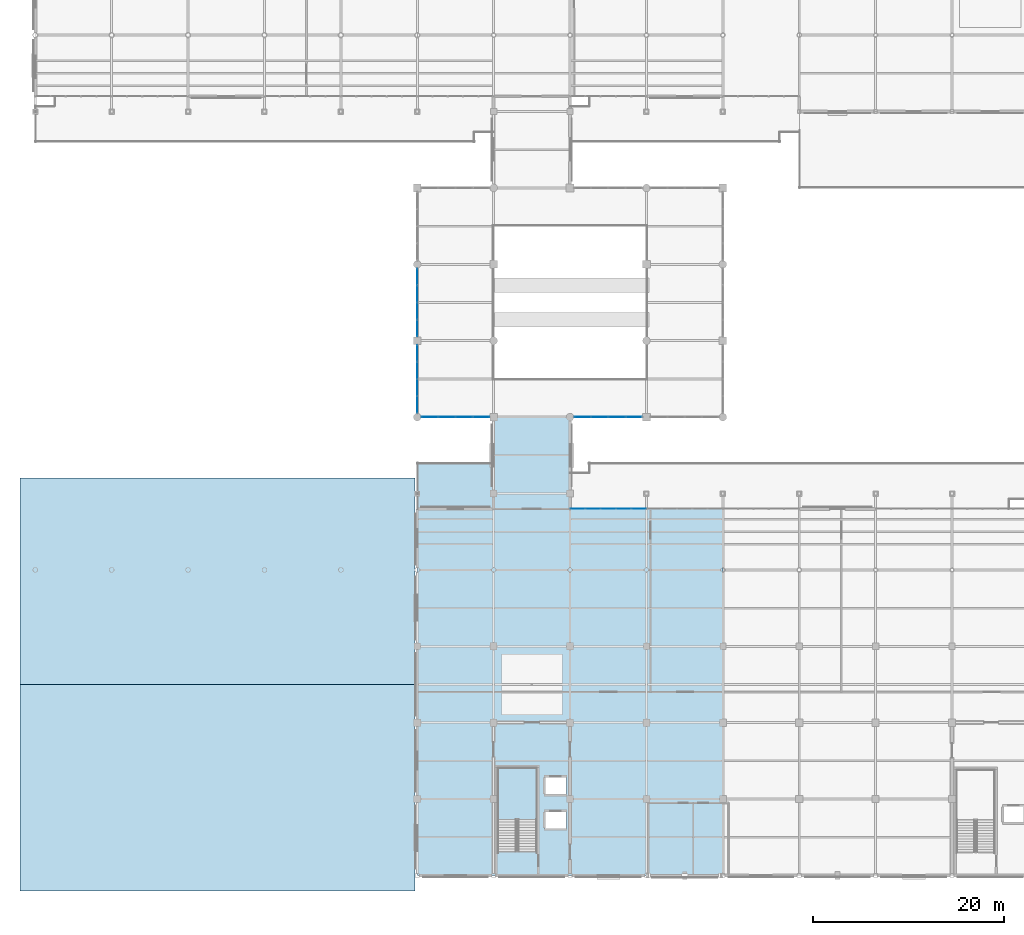
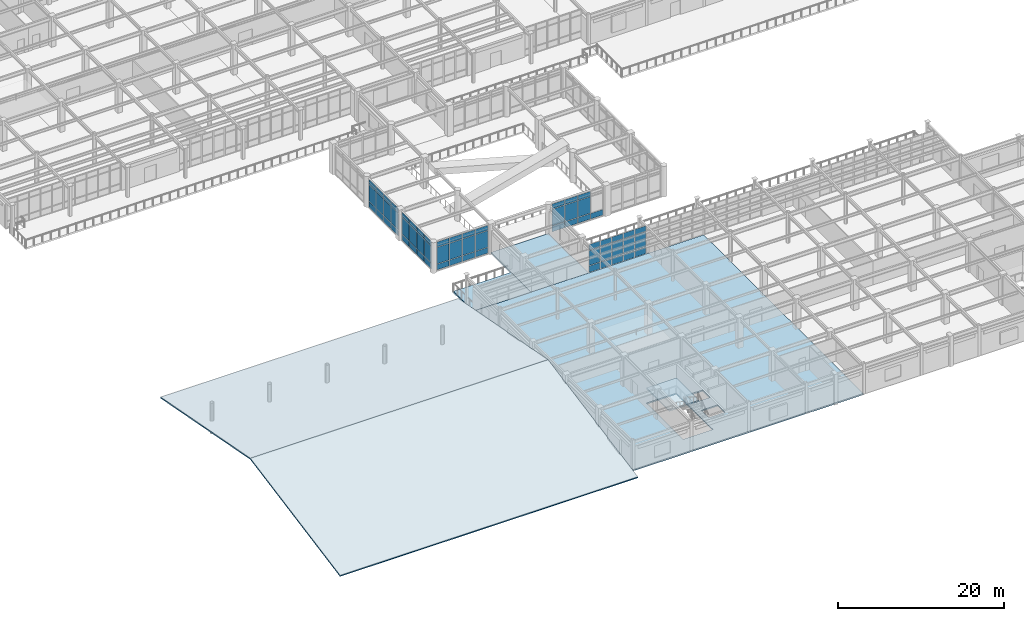
# One storey, part 74 of 111: 61 plates, 6 slabs, 6 elements without a shape of their own.
"""IFC4 building model written with IfcOpenShell, lengths in metres."""

from ifc_helpers import new_model, si_unit, direction, frame, origin, origin_2d, place, context, subcontext, project, spatial, polyline, rectangle, outline, extrude, material, layer, layer_set, type_object, element, aggregate, save


model = new_model("IFC4")

# Units and contexts
model_context = context("Model", 3, precision=1e-05, world=origin(), true_north=direction((0.0, 1.0)))
body_context = subcontext(model_context, "Body", "Model", "MODEL_VIEW")
ifc_project = project(units=[si_unit("LENGTHUNIT", "METRE"), si_unit("AREAUNIT", "SQUARE_METRE"), si_unit("VOLUMEUNIT", "CUBIC_METRE"), si_unit("PLANEANGLEUNIT", "RADIAN"), si_unit("MASSUNIT", "GRAM", prefix="KILO")], contexts=[model_context])

# Site, building, storey
site_placement = place(None, origin())
site = spatial("IfcSite", under=ifc_project, at=site_placement, CompositionType="ELEMENT")
building_placement = place(site_placement, origin())
building = spatial("IfcBuilding", under=site, at=building_placement, Name="Solmirada Galleria", CompositionType="ELEMENT")
storey_placement = place(building_placement, frame((0.0, 0.0, 10.39990234375)))
storey = spatial("IfcBuildingStorey", under=building, at=storey_placement, Name="L02", CompositionType="ELEMENT", Elevation=10.39990234375)

# Curtain wall, plates
ifc_material_1 = material(Name="Impact-resistant low-E double glazing", Category="glass")
curtain_wall_type_1 = type_object("IfcCurtainWallType", Name="CW-FZ3-L02-B4-L072", PredefinedType="NOTDEFINED", material=ifc_material_1)
curtain_wall_1_placement = place(storey_placement, origin())
curtain_wall_1 = element("IfcCurtainWall", 1, at=curtain_wall_1_placement, inside=storey, type_object=curtain_wall_type_1, Name="Terrace and arcade storefront CW-L02-083", PredefinedType="NOTDEFINED")
ifc_layer_1 = layer(ifc_material_1, 0.028076171875)
ifc_layer_set_1 = layer_set([ifc_layer_1], Name="Impact-resistant low-E double glazing")
plate_type_1 = type_object("IfcPlateType", Name="CW-PNL-CW21-T28", PredefinedType="CURTAIN_PANEL", material=ifc_layer_set_1)
plate_1_placement = place(storey_placement, frame((86.68212890625, 48.0, 0.06494140625), z_axis=(0.0, 0.0, 1.0), x_axis=(-1.0, 0.0, 0.0)))
plate_1 = element("IfcPlate", 2, at=plate_1_placement, type_object=plate_type_1, Name="CW21 panel 1.1", PredefinedType="CURTAIN_PANEL", context=body_context, shape_type="SweptSolid", body=[
    extrude(rectangle(XDim=1.701416015625, YDim=0.028076171875, at=origin_2d()), origin(), (0.0, 0.0, 1.0), 0.822509765625),
])
plate_2_placement = place(storey_placement, frame((86.68212890625, 48.0, 0.95263671875), z_axis=(0.0, 0.0, 1.0), x_axis=(-1.0, 0.0, 0.0)))
plate_2 = element("IfcPlate", 3, at=plate_2_placement, type_object=plate_type_1, Name="CW21 panel 1.2", PredefinedType="CURTAIN_PANEL", context=body_context, shape_type="SweptSolid", body=[
    extrude(rectangle(XDim=1.701416015625, YDim=0.028076171875, at=origin_2d()), origin(), (0.0, 0.0, 1.0), 2.4150390625),
])
plate_3_placement = place(storey_placement, frame((86.68212890625, 48.0, 3.4326171875), z_axis=(0.0, 0.0, 1.0), x_axis=(-1.0, 0.0, 0.0)))
plate_3 = element("IfcPlate", 4, at=plate_3_placement, type_object=plate_type_1, Name="CW21 panel 1.3", PredefinedType="CURTAIN_PANEL", context=body_context, shape_type="SweptSolid", body=[
    extrude(rectangle(XDim=1.701416015625, YDim=0.028076171875, at=origin_2d()), origin(), (0.0, 0.0, 1.0), 0.722412109375),
])
plate_4_placement = place(storey_placement, frame((84.8994140625, 48.0, 0.06494140625), z_axis=(0.0, 0.0, 1.0), x_axis=(-1.0, 0.0, 0.0)))
plate_4 = element("IfcPlate", 5, at=plate_4_placement, type_object=plate_type_1, Name="CW21 panel 2.1", PredefinedType="CURTAIN_PANEL", context=body_context, shape_type="SweptSolid", body=[
    extrude(rectangle(XDim=1.73388671875, YDim=0.028076171875, at=origin_2d()), origin(), (0.0, 0.0, 1.0), 0.822509765625),
])
plate_5_placement = place(storey_placement, frame((84.8994140625, 48.0, 0.95263671875), z_axis=(0.0, 0.0, 1.0), x_axis=(-1.0, 0.0, 0.0)))
plate_5 = element("IfcPlate", 6, at=plate_5_placement, type_object=plate_type_1, Name="CW21 panel 2.2", PredefinedType="CURTAIN_PANEL", context=body_context, shape_type="SweptSolid", body=[
    extrude(rectangle(XDim=1.73388671875, YDim=0.028076171875, at=origin_2d()), origin(), (0.0, 0.0, 1.0), 2.4150390625),
])
plate_6_placement = place(storey_placement, frame((84.8994140625, 48.0, 3.4326171875), z_axis=(0.0, 0.0, 1.0), x_axis=(-1.0, 0.0, 0.0)))
plate_6 = element("IfcPlate", 7, at=plate_6_placement, type_object=plate_type_1, Name="CW21 panel 2.3", PredefinedType="CURTAIN_PANEL", context=body_context, shape_type="SweptSolid", body=[
    extrude(rectangle(XDim=1.73388671875, YDim=0.028076171875, at=origin_2d()), origin(), (0.0, 0.0, 1.0), 0.722412109375),
])
plate_7_placement = place(storey_placement, frame((83.1005859375, 48.0, 0.06494140625), z_axis=(0.0, 0.0, 1.0), x_axis=(-1.0, 0.0, 0.0)))
plate_7 = element("IfcPlate", 8, at=plate_7_placement, type_object=plate_type_1, Name="CW21 panel 3.1", PredefinedType="CURTAIN_PANEL", context=body_context, shape_type="SweptSolid", body=[
    extrude(rectangle(XDim=1.73388671875, YDim=0.028076171875, at=origin_2d()), origin(), (0.0, 0.0, 1.0), 0.822509765625),
])
plate_8_placement = place(storey_placement, frame((83.1005859375, 48.0, 0.95263671875), z_axis=(0.0, 0.0, 1.0), x_axis=(-1.0, 0.0, 0.0)))
plate_8 = element("IfcPlate", 9, at=plate_8_placement, type_object=plate_type_1, Name="CW21 panel 3.2", PredefinedType="CURTAIN_PANEL", context=body_context, shape_type="SweptSolid", body=[
    extrude(rectangle(XDim=1.73388671875, YDim=0.028076171875, at=origin_2d()), origin(), (0.0, 0.0, 1.0), 2.4150390625),
])
plate_9_placement = place(storey_placement, frame((83.1005859375, 48.0, 3.4326171875), z_axis=(0.0, 0.0, 1.0), x_axis=(-1.0, 0.0, 0.0)))
plate_9 = element("IfcPlate", 10, at=plate_9_placement, type_object=plate_type_1, Name="CW21 panel 3.3", PredefinedType="CURTAIN_PANEL", context=body_context, shape_type="SweptSolid", body=[
    extrude(rectangle(XDim=1.73388671875, YDim=0.028076171875, at=origin_2d()), origin(), (0.0, 0.0, 1.0), 0.722412109375),
])
plate_10_placement = place(storey_placement, frame((81.31787109375, 48.0, 0.06494140625), z_axis=(0.0, 0.0, 1.0), x_axis=(-1.0, 0.0, 0.0)))
plate_10 = element("IfcPlate", 11, at=plate_10_placement, type_object=plate_type_1, Name="CW21 panel 4.1", PredefinedType="CURTAIN_PANEL", context=body_context, shape_type="SweptSolid", body=[
    extrude(rectangle(XDim=1.701416015625, YDim=0.028076171875, at=origin_2d()), origin(), (0.0, 0.0, 1.0), 0.822509765625),
])
plate_11_placement = place(storey_placement, frame((81.31787109375, 48.0, 0.95263671875), z_axis=(0.0, 0.0, 1.0), x_axis=(-1.0, 0.0, 0.0)))
plate_11 = element("IfcPlate", 12, at=plate_11_placement, type_object=plate_type_1, Name="CW21 panel 4.2", PredefinedType="CURTAIN_PANEL", context=body_context, shape_type="SweptSolid", body=[
    extrude(rectangle(XDim=1.701416015625, YDim=0.028076171875, at=origin_2d()), origin(), (0.0, 0.0, 1.0), 2.4150390625),
])
plate_12_placement = place(storey_placement, frame((81.31787109375, 48.0, 3.4326171875), z_axis=(0.0, 0.0, 1.0), x_axis=(-1.0, 0.0, 0.0)))
plate_12 = element("IfcPlate", 13, at=plate_12_placement, type_object=plate_type_1, Name="CW21 panel 4.3", PredefinedType="CURTAIN_PANEL", context=body_context, shape_type="SweptSolid", body=[
    extrude(rectangle(XDim=1.701416015625, YDim=0.028076171875, at=origin_2d()), origin(), (0.0, 0.0, 1.0), 0.722412109375),
])
aggregate(curtain_wall_1, [plate_1, plate_2, plate_3, plate_4, plate_5, plate_6, plate_7, plate_8, plate_9, plate_10, plate_11, plate_12])

curtain_wall_2_placement = place(storey_placement, origin())
curtain_wall_2 = element("IfcCurtainWall", 14, at=curtain_wall_2_placement, inside=storey, type_object=curtain_wall_type_1, Name="Terrace and arcade storefront CW-L02-084", PredefinedType="NOTDEFINED")
plate_13_placement = place(storey_placement, frame((80.0, 49.31787109375, 0.06494140625), z_axis=(0.0, 0.0, 1.0), x_axis=(0.0, 1.0, 0.0)))
plate_13 = element("IfcPlate", 15, at=plate_13_placement, type_object=plate_type_1, Name="CW21 panel 1.1", PredefinedType="CURTAIN_PANEL", context=body_context, shape_type="SweptSolid", body=[
    extrude(rectangle(XDim=1.701416015625, YDim=0.028076171875, at=origin_2d()), origin(), (0.0, 0.0, 1.0), 0.822509765625),
])
plate_14_placement = place(storey_placement, frame((80.0, 49.31787109375, 0.95263671875), z_axis=(0.0, 0.0, 1.0), x_axis=(0.0, 1.0, 0.0)))
plate_14 = element("IfcPlate", 16, at=plate_14_placement, type_object=plate_type_1, Name="CW21 panel 1.2", PredefinedType="CURTAIN_PANEL", context=body_context, shape_type="SweptSolid", body=[
    extrude(rectangle(XDim=1.701416015625, YDim=0.028076171875, at=origin_2d()), origin(), (0.0, 0.0, 1.0), 2.4150390625),
])
plate_15_placement = place(storey_placement, frame((80.0, 49.31787109375, 3.4326171875), z_axis=(0.0, 0.0, 1.0), x_axis=(0.0, 1.0, 0.0)))
plate_15 = element("IfcPlate", 17, at=plate_15_placement, type_object=plate_type_1, Name="CW21 panel 1.3", PredefinedType="CURTAIN_PANEL", context=body_context, shape_type="SweptSolid", body=[
    extrude(rectangle(XDim=1.701416015625, YDim=0.028076171875, at=origin_2d()), origin(), (0.0, 0.0, 1.0), 0.722412109375),
])
plate_16_placement = place(storey_placement, frame((80.0, 51.1005859375, 0.06494140625), z_axis=(0.0, 0.0, 1.0), x_axis=(0.0, 1.0, 0.0)))
plate_16 = element("IfcPlate", 18, at=plate_16_placement, type_object=plate_type_1, Name="CW21 panel 2.1", PredefinedType="CURTAIN_PANEL", context=body_context, shape_type="SweptSolid", body=[
    extrude(rectangle(XDim=1.73388671875, YDim=0.028076171875, at=origin_2d()), origin(), (0.0, 0.0, 1.0), 0.822509765625),
])
plate_17_placement = place(storey_placement, frame((80.0, 51.1005859375, 0.95263671875), z_axis=(0.0, 0.0, 1.0), x_axis=(0.0, 1.0, 0.0)))
plate_17 = element("IfcPlate", 19, at=plate_17_placement, type_object=plate_type_1, Name="CW21 panel 2.2", PredefinedType="CURTAIN_PANEL", context=body_context, shape_type="SweptSolid", body=[
    extrude(rectangle(XDim=1.73388671875, YDim=0.028076171875, at=origin_2d()), origin(), (0.0, 0.0, 1.0), 2.4150390625),
])
plate_18_placement = place(storey_placement, frame((80.0, 51.1005859375, 3.4326171875), z_axis=(0.0, 0.0, 1.0), x_axis=(0.0, 1.0, 0.0)))
plate_18 = element("IfcPlate", 20, at=plate_18_placement, type_object=plate_type_1, Name="CW21 panel 2.3", PredefinedType="CURTAIN_PANEL", context=body_context, shape_type="SweptSolid", body=[
    extrude(rectangle(XDim=1.73388671875, YDim=0.028076171875, at=origin_2d()), origin(), (0.0, 0.0, 1.0), 0.722412109375),
])
plate_19_placement = place(storey_placement, frame((80.0, 52.8994140625, 0.06494140625), z_axis=(0.0, 0.0, 1.0), x_axis=(0.0, 1.0, 0.0)))
plate_19 = element("IfcPlate", 21, at=plate_19_placement, type_object=plate_type_1, Name="CW21 panel 3.1", PredefinedType="CURTAIN_PANEL", context=body_context, shape_type="SweptSolid", body=[
    extrude(rectangle(XDim=1.73388671875, YDim=0.028076171875, at=origin_2d()), origin(), (0.0, 0.0, 1.0), 0.822509765625),
])
plate_20_placement = place(storey_placement, frame((80.0, 52.8994140625, 0.95263671875), z_axis=(0.0, 0.0, 1.0), x_axis=(0.0, 1.0, 0.0)))
plate_20 = element("IfcPlate", 22, at=plate_20_placement, type_object=plate_type_1, Name="CW21 panel 3.2", PredefinedType="CURTAIN_PANEL", context=body_context, shape_type="SweptSolid", body=[
    extrude(rectangle(XDim=1.73388671875, YDim=0.028076171875, at=origin_2d()), origin(), (0.0, 0.0, 1.0), 2.4150390625),
])
plate_21_placement = place(storey_placement, frame((80.0, 52.8994140625, 3.4326171875), z_axis=(0.0, 0.0, 1.0), x_axis=(0.0, 1.0, 0.0)))
plate_21 = element("IfcPlate", 23, at=plate_21_placement, type_object=plate_type_1, Name="CW21 panel 3.3", PredefinedType="CURTAIN_PANEL", context=body_context, shape_type="SweptSolid", body=[
    extrude(rectangle(XDim=1.73388671875, YDim=0.028076171875, at=origin_2d()), origin(), (0.0, 0.0, 1.0), 0.722412109375),
])
plate_22_placement = place(storey_placement, frame((80.0, 54.68212890625, 0.06494140625), z_axis=(0.0, 0.0, 1.0), x_axis=(0.0, 1.0, 0.0)))
plate_22 = element("IfcPlate", 24, at=plate_22_placement, type_object=plate_type_1, Name="CW21 panel 4.1", PredefinedType="CURTAIN_PANEL", context=body_context, shape_type="SweptSolid", body=[
    extrude(rectangle(XDim=1.701416015625, YDim=0.028076171875, at=origin_2d()), origin(), (0.0, 0.0, 1.0), 0.822509765625),
])
plate_23_placement = place(storey_placement, frame((80.0, 54.68212890625, 0.95263671875), z_axis=(0.0, 0.0, 1.0), x_axis=(0.0, 1.0, 0.0)))
plate_23 = element("IfcPlate", 25, at=plate_23_placement, type_object=plate_type_1, Name="CW21 panel 4.2", PredefinedType="CURTAIN_PANEL", context=body_context, shape_type="SweptSolid", body=[
    extrude(rectangle(XDim=1.701416015625, YDim=0.028076171875, at=origin_2d()), origin(), (0.0, 0.0, 1.0), 2.4150390625),
])
plate_24_placement = place(storey_placement, frame((80.0, 54.68212890625, 3.4326171875), z_axis=(0.0, 0.0, 1.0), x_axis=(0.0, 1.0, 0.0)))
plate_24 = element("IfcPlate", 26, at=plate_24_placement, type_object=plate_type_1, Name="CW21 panel 4.3", PredefinedType="CURTAIN_PANEL", context=body_context, shape_type="SweptSolid", body=[
    extrude(rectangle(XDim=1.701416015625, YDim=0.028076171875, at=origin_2d()), origin(), (0.0, 0.0, 1.0), 0.722412109375),
])
aggregate(curtain_wall_2, [plate_13, plate_14, plate_15, plate_16, plate_17, plate_18, plate_19, plate_20, plate_21, plate_22, plate_23, plate_24])

curtain_wall_3_placement = place(storey_placement, origin())
curtain_wall_3 = element("IfcCurtainWall", 27, at=curtain_wall_3_placement, inside=storey, type_object=curtain_wall_type_1, Name="Terrace and arcade storefront CW-L02-085", PredefinedType="NOTDEFINED")
plate_25_placement = place(storey_placement, frame((80.0, 57.31787109375, 0.06494140625), z_axis=(0.0, 0.0, 1.0), x_axis=(0.0, 1.0, 0.0)))
plate_25 = element("IfcPlate", 28, at=plate_25_placement, type_object=plate_type_1, Name="CW21 panel 1.1", PredefinedType="CURTAIN_PANEL", context=body_context, shape_type="SweptSolid", body=[
    extrude(rectangle(XDim=1.701416015625, YDim=0.028076171875, at=origin_2d()), origin(), (0.0, 0.0, 1.0), 0.822509765625),
])
plate_26_placement = place(storey_placement, frame((80.0, 57.31787109375, 0.95263671875), z_axis=(0.0, 0.0, 1.0), x_axis=(0.0, 1.0, 0.0)))
plate_26 = element("IfcPlate", 29, at=plate_26_placement, type_object=plate_type_1, Name="CW21 panel 1.2", PredefinedType="CURTAIN_PANEL", context=body_context, shape_type="SweptSolid", body=[
    extrude(rectangle(XDim=1.701416015625, YDim=0.028076171875, at=origin_2d()), origin(), (0.0, 0.0, 1.0), 2.4150390625),
])
plate_27_placement = place(storey_placement, frame((80.0, 57.31787109375, 3.4326171875), z_axis=(0.0, 0.0, 1.0), x_axis=(0.0, 1.0, 0.0)))
plate_27 = element("IfcPlate", 30, at=plate_27_placement, type_object=plate_type_1, Name="CW21 panel 1.3", PredefinedType="CURTAIN_PANEL", context=body_context, shape_type="SweptSolid", body=[
    extrude(rectangle(XDim=1.701416015625, YDim=0.028076171875, at=origin_2d()), origin(), (0.0, 0.0, 1.0), 0.722412109375),
])
plate_28_placement = place(storey_placement, frame((80.0, 59.1005859375, 0.06494140625), z_axis=(0.0, 0.0, 1.0), x_axis=(0.0, 1.0, 0.0)))
plate_28 = element("IfcPlate", 31, at=plate_28_placement, type_object=plate_type_1, Name="CW21 panel 2.1", PredefinedType="CURTAIN_PANEL", context=body_context, shape_type="SweptSolid", body=[
    extrude(rectangle(XDim=1.73388671875, YDim=0.028076171875, at=origin_2d()), origin(), (0.0, 0.0, 1.0), 0.822509765625),
])
plate_29_placement = place(storey_placement, frame((80.0, 59.1005859375, 0.95263671875), z_axis=(0.0, 0.0, 1.0), x_axis=(0.0, 1.0, 0.0)))
plate_29 = element("IfcPlate", 32, at=plate_29_placement, type_object=plate_type_1, Name="CW21 panel 2.2", PredefinedType="CURTAIN_PANEL", context=body_context, shape_type="SweptSolid", body=[
    extrude(rectangle(XDim=1.73388671875, YDim=0.028076171875, at=origin_2d()), origin(), (0.0, 0.0, 1.0), 2.4150390625),
])
plate_30_placement = place(storey_placement, frame((80.0, 59.1005859375, 3.4326171875), z_axis=(0.0, 0.0, 1.0), x_axis=(0.0, 1.0, 0.0)))
plate_30 = element("IfcPlate", 33, at=plate_30_placement, type_object=plate_type_1, Name="CW21 panel 2.3", PredefinedType="CURTAIN_PANEL", context=body_context, shape_type="SweptSolid", body=[
    extrude(rectangle(XDim=1.73388671875, YDim=0.028076171875, at=origin_2d()), origin(), (0.0, 0.0, 1.0), 0.722412109375),
])
plate_31_placement = place(storey_placement, frame((80.0, 60.8994140625, 0.06494140625), z_axis=(0.0, 0.0, 1.0), x_axis=(0.0, 1.0, 0.0)))
plate_31 = element("IfcPlate", 34, at=plate_31_placement, type_object=plate_type_1, Name="CW21 panel 3.1", PredefinedType="CURTAIN_PANEL", context=body_context, shape_type="SweptSolid", body=[
    extrude(rectangle(XDim=1.73388671875, YDim=0.028076171875, at=origin_2d()), origin(), (0.0, 0.0, 1.0), 0.822509765625),
])
plate_32_placement = place(storey_placement, frame((80.0, 60.8994140625, 0.95263671875), z_axis=(0.0, 0.0, 1.0), x_axis=(0.0, 1.0, 0.0)))
plate_32 = element("IfcPlate", 35, at=plate_32_placement, type_object=plate_type_1, Name="CW21 panel 3.2", PredefinedType="CURTAIN_PANEL", context=body_context, shape_type="SweptSolid", body=[
    extrude(rectangle(XDim=1.73388671875, YDim=0.028076171875, at=origin_2d()), origin(), (0.0, 0.0, 1.0), 2.4150390625),
])
plate_33_placement = place(storey_placement, frame((80.0, 60.8994140625, 3.4326171875), z_axis=(0.0, 0.0, 1.0), x_axis=(0.0, 1.0, 0.0)))
plate_33 = element("IfcPlate", 36, at=plate_33_placement, type_object=plate_type_1, Name="CW21 panel 3.3", PredefinedType="CURTAIN_PANEL", context=body_context, shape_type="SweptSolid", body=[
    extrude(rectangle(XDim=1.73388671875, YDim=0.028076171875, at=origin_2d()), origin(), (0.0, 0.0, 1.0), 0.722412109375),
])
plate_34_placement = place(storey_placement, frame((80.0, 62.68212890625, 0.06494140625), z_axis=(0.0, 0.0, 1.0), x_axis=(0.0, 1.0, 0.0)))
plate_34 = element("IfcPlate", 37, at=plate_34_placement, type_object=plate_type_1, Name="CW21 panel 4.1", PredefinedType="CURTAIN_PANEL", context=body_context, shape_type="SweptSolid", body=[
    extrude(rectangle(XDim=1.701416015625, YDim=0.028076171875, at=origin_2d()), origin(), (0.0, 0.0, 1.0), 0.822509765625),
])
plate_35_placement = place(storey_placement, frame((80.0, 62.68212890625, 0.95263671875), z_axis=(0.0, 0.0, 1.0), x_axis=(0.0, 1.0, 0.0)))
plate_35 = element("IfcPlate", 38, at=plate_35_placement, type_object=plate_type_1, Name="CW21 panel 4.2", PredefinedType="CURTAIN_PANEL", context=body_context, shape_type="SweptSolid", body=[
    extrude(rectangle(XDim=1.701416015625, YDim=0.028076171875, at=origin_2d()), origin(), (0.0, 0.0, 1.0), 2.4150390625),
])
plate_36_placement = place(storey_placement, frame((80.0, 62.68212890625, 3.4326171875), z_axis=(0.0, 0.0, 1.0), x_axis=(0.0, 1.0, 0.0)))
plate_36 = element("IfcPlate", 39, at=plate_36_placement, type_object=plate_type_1, Name="CW21 panel 4.3", PredefinedType="CURTAIN_PANEL", context=body_context, shape_type="SweptSolid", body=[
    extrude(rectangle(XDim=1.701416015625, YDim=0.028076171875, at=origin_2d()), origin(), (0.0, 0.0, 1.0), 0.722412109375),
])
aggregate(curtain_wall_3, [plate_25, plate_26, plate_27, plate_28, plate_29, plate_30, plate_31, plate_32, plate_33, plate_34, plate_35, plate_36])

curtain_wall_4_placement = place(storey_placement, origin())
curtain_wall_4 = element("IfcCurtainWall", 40, at=curtain_wall_4_placement, inside=storey, type_object=curtain_wall_type_1, Name="Terrace and arcade storefront CW-L02-110", PredefinedType="NOTDEFINED")
plate_37_placement = place(storey_placement, frame((102.68212890625, 48.0, 0.06494140625), z_axis=(0.0, 0.0, 1.0), x_axis=(-1.0, 0.0, 0.0)))
plate_37 = element("IfcPlate", 41, at=plate_37_placement, type_object=plate_type_1, Name="CW21 panel 1.1", PredefinedType="CURTAIN_PANEL", context=body_context, shape_type="SweptSolid", body=[
    extrude(rectangle(XDim=1.701416015625, YDim=0.028076171875, at=origin_2d()), origin(), (0.0, 0.0, 1.0), 0.822509765625),
])
plate_38_placement = place(storey_placement, frame((100.8994140625, 48.0, 0.06494140625), z_axis=(0.0, 0.0, 1.0), x_axis=(-1.0, 0.0, 0.0)))
plate_38 = element("IfcPlate", 42, at=plate_38_placement, type_object=plate_type_1, Name="CW21 panel 2.1", PredefinedType="CURTAIN_PANEL", context=body_context, shape_type="SweptSolid", body=[
    extrude(rectangle(XDim=1.73388671875, YDim=0.028076171875, at=origin_2d()), origin(), (0.0, 0.0, 1.0), 0.822509765625),
])
plate_39_placement = place(storey_placement, frame((100.8994140625, 48.0, 0.95263671875), z_axis=(0.0, 0.0, 1.0), x_axis=(-1.0, 0.0, 0.0)))
plate_39 = element("IfcPlate", 43, at=plate_39_placement, type_object=plate_type_1, Name="CW21 panel 2.2", PredefinedType="CURTAIN_PANEL", context=body_context, shape_type="SweptSolid", body=[
    extrude(rectangle(XDim=1.73388671875, YDim=0.028076171875, at=origin_2d()), origin(), (0.0, 0.0, 1.0), 2.4150390625),
])
plate_40_placement = place(storey_placement, frame((100.8994140625, 48.0, 3.4326171875), z_axis=(0.0, 0.0, 1.0), x_axis=(-1.0, 0.0, 0.0)))
plate_40 = element("IfcPlate", 44, at=plate_40_placement, type_object=plate_type_1, Name="CW21 panel 2.3", PredefinedType="CURTAIN_PANEL", context=body_context, shape_type="SweptSolid", body=[
    extrude(rectangle(XDim=1.73388671875, YDim=0.028076171875, at=origin_2d()), origin(), (0.0, 0.0, 1.0), 0.722412109375),
])
plate_41_placement = place(storey_placement, frame((99.1005859375, 48.0, 0.06494140625), z_axis=(0.0, 0.0, 1.0), x_axis=(-1.0, 0.0, 0.0)))
plate_41 = element("IfcPlate", 45, at=plate_41_placement, type_object=plate_type_1, Name="CW21 panel 3.1", PredefinedType="CURTAIN_PANEL", context=body_context, shape_type="SweptSolid", body=[
    extrude(rectangle(XDim=1.73388671875, YDim=0.028076171875, at=origin_2d()), origin(), (0.0, 0.0, 1.0), 0.822509765625),
])
plate_42_placement = place(storey_placement, frame((99.1005859375, 48.0, 0.95263671875), z_axis=(0.0, 0.0, 1.0), x_axis=(-1.0, 0.0, 0.0)))
plate_42 = element("IfcPlate", 46, at=plate_42_placement, type_object=plate_type_1, Name="CW21 panel 3.2", PredefinedType="CURTAIN_PANEL", context=body_context, shape_type="SweptSolid", body=[
    extrude(rectangle(XDim=1.73388671875, YDim=0.028076171875, at=origin_2d()), origin(), (0.0, 0.0, 1.0), 2.4150390625),
])
plate_43_placement = place(storey_placement, frame((99.1005859375, 48.0, 3.4326171875), z_axis=(0.0, 0.0, 1.0), x_axis=(-1.0, 0.0, 0.0)))
plate_43 = element("IfcPlate", 47, at=plate_43_placement, type_object=plate_type_1, Name="CW21 panel 3.3", PredefinedType="CURTAIN_PANEL", context=body_context, shape_type="SweptSolid", body=[
    extrude(rectangle(XDim=1.73388671875, YDim=0.028076171875, at=origin_2d()), origin(), (0.0, 0.0, 1.0), 0.722412109375),
])
plate_44_placement = place(storey_placement, frame((97.31787109375, 48.0, 0.06494140625), z_axis=(0.0, 0.0, 1.0), x_axis=(-1.0, 0.0, 0.0)))
plate_44 = element("IfcPlate", 48, at=plate_44_placement, type_object=plate_type_1, Name="CW21 panel 4.1", PredefinedType="CURTAIN_PANEL", context=body_context, shape_type="SweptSolid", body=[
    extrude(rectangle(XDim=1.701416015625, YDim=0.028076171875, at=origin_2d()), origin(), (0.0, 0.0, 1.0), 0.822509765625),
])
plate_45_placement = place(storey_placement, frame((97.31787109375, 48.0, 0.95263671875), z_axis=(0.0, 0.0, 1.0), x_axis=(-1.0, 0.0, 0.0)))
plate_45 = element("IfcPlate", 49, at=plate_45_placement, type_object=plate_type_1, Name="CW21 panel 4.2", PredefinedType="CURTAIN_PANEL", context=body_context, shape_type="SweptSolid", body=[
    extrude(rectangle(XDim=1.701416015625, YDim=0.028076171875, at=origin_2d()), origin(), (0.0, 0.0, 1.0), 2.4150390625),
])
plate_46_placement = place(storey_placement, frame((97.31787109375, 48.0, 3.4326171875), z_axis=(0.0, 0.0, 1.0), x_axis=(-1.0, 0.0, 0.0)))
plate_46 = element("IfcPlate", 50, at=plate_46_placement, type_object=plate_type_1, Name="CW21 panel 4.3", PredefinedType="CURTAIN_PANEL", context=body_context, shape_type="SweptSolid", body=[
    extrude(rectangle(XDim=1.701416015625, YDim=0.028076171875, at=origin_2d()), origin(), (0.0, 0.0, 1.0), 0.722412109375),
])
aggregate(curtain_wall_4, [plate_37, plate_38, plate_39, plate_40, plate_41, plate_42, plate_43, plate_44, plate_45, plate_46])

curtain_wall_type_2 = type_object("IfcCurtainWallType", Name="CW-FZ5-L02-B5-L080", PredefinedType="NOTDEFINED", material=ifc_material_1)
curtain_wall_5_placement = place(storey_placement, origin())
curtain_wall_5 = element("IfcCurtainWall", 51, at=curtain_wall_5_placement, inside=storey, type_object=curtain_wall_type_2, Name="Terrace and arcade storefront CW-L02-111", PredefinedType="NOTDEFINED")
ifc_material_2 = material(Name="Ceramic-fritted spandrel glass", Category="glass")
ifc_layer_2 = layer(ifc_material_2, 0.02392578125)
ifc_layer_set_2 = layer_set([ifc_layer_2], Name="Ceramic-fritted spandrel glass")
plate_type_2 = type_object("IfcPlateType", Name="CW-PNL-CW25-T24", PredefinedType="CURTAIN_PANEL", material=ifc_layer_set_2)
plate_47_placement = place(storey_placement, frame((96.816162109375, 38.39990234375, 0.065185546875), z_axis=(0.0, 0.0, 1.0), x_axis=(1.0, 0.0, 0.0)))
plate_47 = element("IfcPlate", 52, at=plate_47_placement, type_object=plate_type_2, Name="CW25 panel 1.1", PredefinedType="CURTAIN_PANEL", context=body_context, shape_type="SweptSolid", body=[
    extrude(rectangle(XDim=1.50244140625, YDim=0.02392578125, at=origin_2d()), origin(), (0.0, 0.0, 1.0), 0.9423828125),
])
plate_48_placement = place(storey_placement, frame((96.816162109375, 38.39990234375, 1.07275390625), z_axis=(0.0, 0.0, 1.0), x_axis=(1.0, 0.0, 0.0)))
plate_48 = element("IfcPlate", 53, at=plate_48_placement, type_object=plate_type_2, Name="CW25 panel 1.2", PredefinedType="CURTAIN_PANEL", context=body_context, shape_type="SweptSolid", body=[
    extrude(rectangle(XDim=1.50244140625, YDim=0.02392578125, at=origin_2d()), origin(), (0.0, 0.0, 1.0), 2.195068359375),
])
plate_49_placement = place(storey_placement, frame((96.816162109375, 38.39990234375, 3.33251953125), z_axis=(0.0, 0.0, 1.0), x_axis=(1.0, 0.0, 0.0)))
plate_49 = element("IfcPlate", 54, at=plate_49_placement, type_object=plate_type_2, Name="CW25 panel 1.3", PredefinedType="CURTAIN_PANEL", context=body_context, shape_type="SweptSolid", body=[
    extrude(rectangle(XDim=1.50244140625, YDim=0.02392578125, at=origin_2d()), origin(), (0.0, 0.0, 1.0), 0.822509765625),
])
plate_50_placement = place(storey_placement, frame((98.39990234375, 38.39990234375, 0.065185546875), z_axis=(0.0, 0.0, 1.0), x_axis=(1.0, 0.0, 0.0)))
plate_50 = element("IfcPlate", 55, at=plate_50_placement, type_object=plate_type_2, Name="CW25 panel 2.1", PredefinedType="CURTAIN_PANEL", context=body_context, shape_type="SweptSolid", body=[
    extrude(rectangle(XDim=1.534912109375, YDim=0.02392578125, at=origin_2d()), origin(), (0.0, 0.0, 1.0), 0.9423828125),
])
plate_51_placement = place(storey_placement, frame((98.39990234375, 38.39990234375, 1.07275390625), z_axis=(0.0, 0.0, 1.0), x_axis=(1.0, 0.0, 0.0)))
plate_51 = element("IfcPlate", 56, at=plate_51_placement, type_object=plate_type_2, Name="CW25 panel 2.2", PredefinedType="CURTAIN_PANEL", context=body_context, shape_type="SweptSolid", body=[
    extrude(rectangle(XDim=1.534912109375, YDim=0.02392578125, at=origin_2d()), origin(), (0.0, 0.0, 1.0), 2.195068359375),
])
plate_52_placement = place(storey_placement, frame((98.39990234375, 38.39990234375, 3.33251953125), z_axis=(0.0, 0.0, 1.0), x_axis=(1.0, 0.0, 0.0)))
plate_52 = element("IfcPlate", 57, at=plate_52_placement, type_object=plate_type_2, Name="CW25 panel 2.3", PredefinedType="CURTAIN_PANEL", context=body_context, shape_type="SweptSolid", body=[
    extrude(rectangle(XDim=1.534912109375, YDim=0.02392578125, at=origin_2d()), origin(), (0.0, 0.0, 1.0), 0.822509765625),
])
plate_53_placement = place(storey_placement, frame((100.0, 38.39990234375, 0.065185546875), z_axis=(0.0, 0.0, 1.0), x_axis=(1.0, 0.0, 0.0)))
plate_53 = element("IfcPlate", 58, at=plate_53_placement, type_object=plate_type_2, Name="CW25 panel 3.1", PredefinedType="CURTAIN_PANEL", context=body_context, shape_type="SweptSolid", body=[
    extrude(rectangle(XDim=1.534912109375, YDim=0.02392578125, at=origin_2d()), origin(), (0.0, 0.0, 1.0), 0.9423828125),
])
plate_54_placement = place(storey_placement, frame((100.0, 38.39990234375, 1.07275390625), z_axis=(0.0, 0.0, 1.0), x_axis=(1.0, 0.0, 0.0)))
plate_54 = element("IfcPlate", 59, at=plate_54_placement, type_object=plate_type_2, Name="CW25 panel 3.2", PredefinedType="CURTAIN_PANEL", context=body_context, shape_type="SweptSolid", body=[
    extrude(rectangle(XDim=1.534912109375, YDim=0.02392578125, at=origin_2d()), origin(), (0.0, 0.0, 1.0), 2.195068359375),
])
plate_55_placement = place(storey_placement, frame((100.0, 38.39990234375, 3.33251953125), z_axis=(0.0, 0.0, 1.0), x_axis=(1.0, 0.0, 0.0)))
plate_55 = element("IfcPlate", 60, at=plate_55_placement, type_object=plate_type_2, Name="CW25 panel 3.3", PredefinedType="CURTAIN_PANEL", context=body_context, shape_type="SweptSolid", body=[
    extrude(rectangle(XDim=1.534912109375, YDim=0.02392578125, at=origin_2d()), origin(), (0.0, 0.0, 1.0), 0.822509765625),
])
plate_56_placement = place(storey_placement, frame((101.60009765625, 38.39990234375, 0.065185546875), z_axis=(0.0, 0.0, 1.0), x_axis=(1.0, 0.0, 0.0)))
plate_56 = element("IfcPlate", 61, at=plate_56_placement, type_object=plate_type_2, Name="CW25 panel 4.1", PredefinedType="CURTAIN_PANEL", context=body_context, shape_type="SweptSolid", body=[
    extrude(rectangle(XDim=1.534912109375, YDim=0.02392578125, at=origin_2d()), origin(), (0.0, 0.0, 1.0), 0.9423828125),
])
plate_57_placement = place(storey_placement, frame((101.60009765625, 38.39990234375, 1.07275390625), z_axis=(0.0, 0.0, 1.0), x_axis=(1.0, 0.0, 0.0)))
plate_57 = element("IfcPlate", 62, at=plate_57_placement, type_object=plate_type_2, Name="CW25 panel 4.2", PredefinedType="CURTAIN_PANEL", context=body_context, shape_type="SweptSolid", body=[
    extrude(rectangle(XDim=1.534912109375, YDim=0.02392578125, at=origin_2d()), origin(), (0.0, 0.0, 1.0), 2.195068359375),
])
plate_58_placement = place(storey_placement, frame((101.60009765625, 38.39990234375, 3.33251953125), z_axis=(0.0, 0.0, 1.0), x_axis=(1.0, 0.0, 0.0)))
plate_58 = element("IfcPlate", 63, at=plate_58_placement, type_object=plate_type_2, Name="CW25 panel 4.3", PredefinedType="CURTAIN_PANEL", context=body_context, shape_type="SweptSolid", body=[
    extrude(rectangle(XDim=1.534912109375, YDim=0.02392578125, at=origin_2d()), origin(), (0.0, 0.0, 1.0), 0.822509765625),
])
plate_59_placement = place(storey_placement, frame((103.183837890625, 38.39990234375, 0.065185546875), z_axis=(0.0, 0.0, 1.0), x_axis=(1.0, 0.0, 0.0)))
plate_59 = element("IfcPlate", 64, at=plate_59_placement, type_object=plate_type_2, Name="CW25 panel 5.1", PredefinedType="CURTAIN_PANEL", context=body_context, shape_type="SweptSolid", body=[
    extrude(rectangle(XDim=1.50244140625, YDim=0.02392578125, at=origin_2d()), origin(), (0.0, 0.0, 1.0), 0.9423828125),
])
plate_60_placement = place(storey_placement, frame((103.183837890625, 38.39990234375, 1.07275390625), z_axis=(0.0, 0.0, 1.0), x_axis=(1.0, 0.0, 0.0)))
plate_60 = element("IfcPlate", 65, at=plate_60_placement, type_object=plate_type_2, Name="CW25 panel 5.2", PredefinedType="CURTAIN_PANEL", context=body_context, shape_type="SweptSolid", body=[
    extrude(rectangle(XDim=1.50244140625, YDim=0.02392578125, at=origin_2d()), origin(), (0.0, 0.0, 1.0), 2.195068359375),
])
plate_61_placement = place(storey_placement, frame((103.183837890625, 38.39990234375, 3.33251953125), z_axis=(0.0, 0.0, 1.0), x_axis=(1.0, 0.0, 0.0)))
plate_61 = element("IfcPlate", 66, at=plate_61_placement, type_object=plate_type_2, Name="CW25 panel 5.3", PredefinedType="CURTAIN_PANEL", context=body_context, shape_type="SweptSolid", body=[
    extrude(rectangle(XDim=1.50244140625, YDim=0.02392578125, at=origin_2d()), origin(), (0.0, 0.0, 1.0), 0.822509765625),
])
aggregate(curtain_wall_5, [plate_47, plate_48, plate_49, plate_50, plate_51, plate_52, plate_53, plate_54, plate_55, plate_56, plate_57, plate_58, plate_59, plate_60, plate_61])

# Slabs
ifc_material_3 = material(Name="Concrete C35/45", Category="concrete")
ifc_layer_3 = layer(ifc_material_3, 0.199951171875)
ifc_layer_set_3 = layer_set([ifc_layer_3], Name="Concrete C35/45")
slab_type_1 = type_object("IfcSlabType", Name="SLB-FLOOR-200", PredefinedType="FLOOR", material=ifc_layer_set_3)
slab_1_placement = place(storey_placement, frame((0.0, 0.0, -0.199951171875)))
element("IfcSlab", 67, at=slab_1_placement, inside=storey, type_object=slab_type_1, Name="Slab L02-SOUTH-W", PredefinedType="FLOOR", context=body_context, shape_type="SweptSolid", body=[
    extrude(outline(polyline([(80.0, 0.0), (112.0, 0.0), (112.0, 38.39990234375), (80.0, 38.39990234375), (80.0, 0.0)]), holes=[polyline([(88.39990234375, 2.5), (92.550048828125, 2.5), (92.550048828125, 11.300048828125), (88.39990234375, 11.300048828125), (88.39990234375, 2.5)]), polyline([(93.375, 4.89990234375), (95.625, 4.89990234375), (95.625, 6.699951171875), (93.375, 6.699951171875), (93.375, 4.89990234375)]), polyline([(93.375, 8.5), (95.625, 8.5), (95.625, 10.300048828125), (93.375, 10.300048828125), (93.375, 8.5)])]), origin(), (0.0, 0.0, 1.0), 0.199951171875),
])
slab_2_placement = place(storey_placement, frame((0.0, 0.0, -0.199951171875)))
element("IfcSlab", 68, at=slab_2_placement, inside=storey, type_object=slab_type_1, Name="Slab L02-BRG-S", PredefinedType="FLOOR", context=body_context, shape_type="SweptSolid", body=[
    extrude(outline(polyline([(88.0, 38.39990234375), (96.0, 38.39990234375), (96.0, 48.0), (88.0, 48.0), (88.0, 38.39990234375)])), origin(), (0.0, 0.0, 1.0), 0.199951171875),
])

# Stair, slab
stair_type = type_object("IfcStairType", Name="STR-DOG-200-H45", PredefinedType="HALF_TURN_STAIR", material=ifc_material_3)
stair_placement = place(storey_placement, origin())
stair = element("IfcStair", 69, at=stair_placement, inside=storey, type_object=stair_type, Name="L02 South Sales Core Exit Stair ST2", PredefinedType="HALF_TURN_STAIR")
ifc_layer_4 = layer(ifc_material_3, 0.199951171875)
ifc_layer_set_4 = layer_set([ifc_layer_4], Name="Concrete C35/45")
slab_type_2 = type_object("IfcSlabType", Name="SLB-LAND-200", PredefinedType="LANDING", material=ifc_layer_set_4)
slab_3_placement = place(storey_placement, frame((0.0, 0.0, 2.050048828125)))
slab_3 = element("IfcSlab", 70, at=slab_3_placement, type_object=slab_type_2, Name="ST2 landing 1", PredefinedType="LANDING", context=body_context, shape_type="SweptSolid", body=[
    extrude(outline(polyline([(92.550048828125, 5.860107421875), (92.550048828125, 11.300048828125), (88.39990234375, 11.300048828125), (88.39990234375, 5.860107421875), (92.550048828125, 5.860107421875)])), origin(), (0.0, 0.0, 1.0), 0.199951171875),
])
aggregate(stair, [slab_3])

# Slabs
ifc_layer_5 = layer(ifc_material_3, 0.179931640625)
ifc_layer_set_5 = layer_set([ifc_layer_5], Name="Concrete C35/45")
slab_type_3 = type_object("IfcSlabType", Name="SLB-ROOF-180", PredefinedType="ROOF", material=ifc_layer_set_5)
for number, where, z_axis, x_axis, name in (
    (71, (38.39990234375, -1.60009765625, 0.0), (0.0, -0.186488518805, 0.982457140212), (1.0, 0.0, 0.0), "Food Hall south sloped roof"),
    (72, (38.39990234375, 20.0, 4.10009765625), (0.0, 0.186488518805, 0.982457140212), (1.0, 0.0, 0.0), "Food Hall north sloped roof"),
):
    element("IfcSlab", number, at=place(storey_placement, frame(where, z_axis=z_axis, x_axis=x_axis)), inside=storey, type_object=slab_type_3, Name=name, PredefinedType="ROOF", context=body_context, shape_type="SweptSolid", body=[
        extrude(outline(polyline([(0.0, 0.0), (41.35009765625, 0.0), (41.35009765625, 21.98579131053334), (0.0, 21.98579131053334), (0.0, 0.0)])), origin(), (0.0, 0.0, -1.0), 0.179931640625),
    ])
ifc_layer_6 = layer(ifc_material_3, 0.239990234375)
ifc_layer_set_6 = layer_set([ifc_layer_6], Name="Concrete C35/45")
slab_type_4 = type_object("IfcSlabType", Name="SLB-TERR-240", PredefinedType="FLOOR", material=ifc_layer_set_6)
slab_4_placement = place(storey_placement, frame((0.0, 0.0, -0.239990234375)))
element("IfcSlab", 73, at=slab_4_placement, inside=storey, type_object=slab_type_4, Name="Slab L02-TERR-SW", PredefinedType="FLOOR", context=body_context, shape_type="SweptSolid", body=[
    extrude(outline(polyline([(80.0, 38.39990234375), (88.0, 38.39990234375), (88.0, 43.199951171875), (80.0, 43.199951171875), (80.0, 38.39990234375)])), origin(), (0.0, 0.0, 1.0), 0.239990234375),
])

save(model, "model.ifc")
